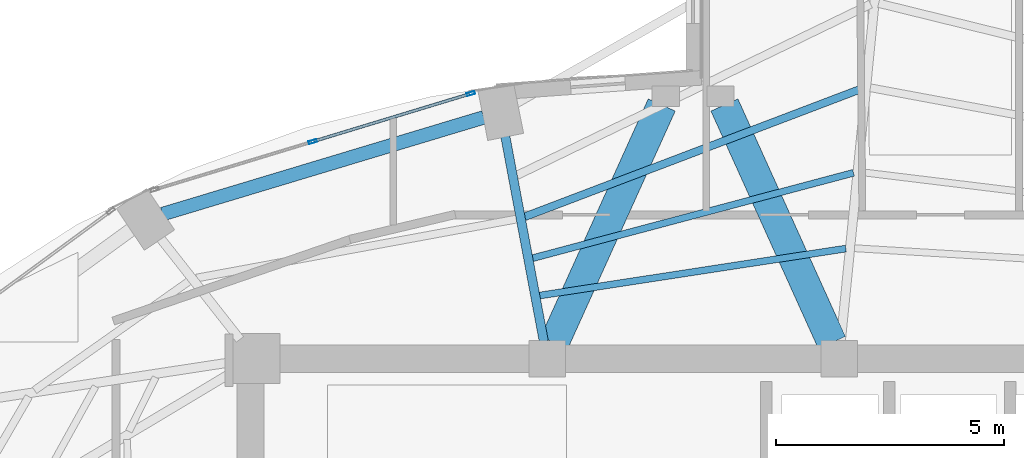
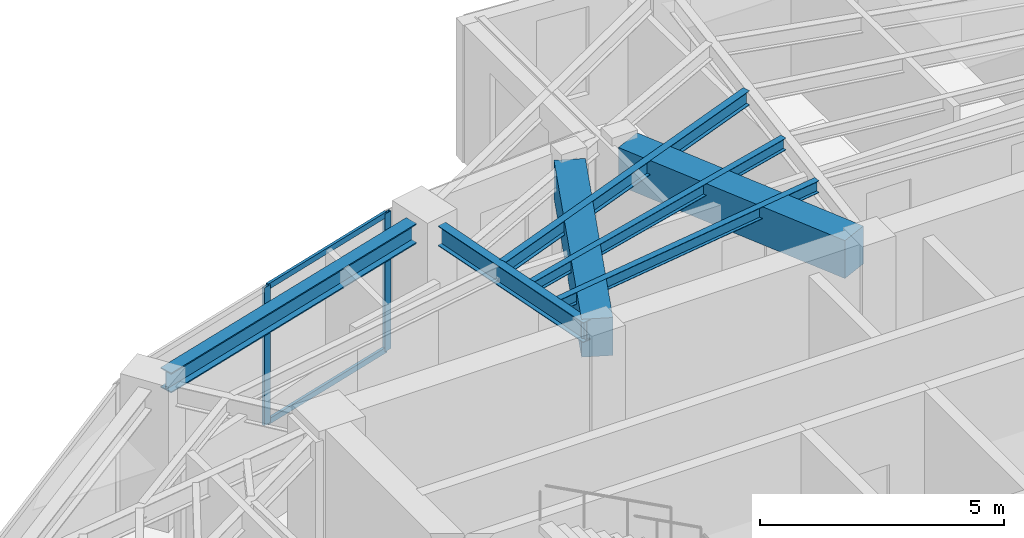
# One storey, part 9 of 21: 7 beams, 4 members, 1 element without a shape of its own.
"""IFC4 building model written with IfcOpenShell, lengths in metres."""

import ifcopenshell
import ifcopenshell.guid

model = None  # the IFC model being written
_history = None  # IfcOwnerHistory: only IFC2X3 demands one
_inside = {}  # id of a spatial element -> (the spatial element, [elements in it])
_under = {}  # id of a project, library or spatial element -> (it, [spatial elements below it])
_declared = {}  # id of a project -> (the project, [libraries it declares])
_typed = {}  # id of a type object -> (the type object, [elements of that type])
_made_of = {}  # id of a material, layer set ... -> (it, [elements and type objects made of it])


def new_model(schema):
    """Start an empty IFC model of exactly this schema.

    Asked for "IFC4X3", IfcOpenShell would pick the latest addendum, in which some entities
    have other attributes; the version numbers below select the first issue.
    IFC2X3 requires an IfcOwnerHistory on every rooted entity: one is made here for all.
    """
    global model, _history
    if schema == "IFC4X3":
        model = ifcopenshell.file(schema_version=(4, 3, 0, 0))
    else:
        model = ifcopenshell.file(schema=schema)
    _inside.clear()
    _under.clear()
    _declared.clear()
    _typed.clear()
    _made_of.clear()
    _history = None
    if model.schema == "IFC2X3":
        org = make("IfcOrganization", Name="unknown")
        user = make(
            "IfcPersonAndOrganization",
            ThePerson=make("IfcPerson", FamilyName="unknown"),
            TheOrganization=org,
        )
        app = make(
            "IfcApplication",
            ApplicationDeveloper=org,
            Version="unknown",
            ApplicationFullName="unknown",
            ApplicationIdentifier="unknown",
        )
        _history = make(
            "IfcOwnerHistory",
            OwningUser=user,
            OwningApplication=app,
            ChangeAction="ADDED",
            CreationDate=0,
        )
    return model


def make(cls, **values):
    """One entity of the class cls with the attributes given. An attribute that is None is left unset."""
    return model.create_entity(
        cls, **{name: value for name, value in values.items() if value is not None}
    )


def rooted(cls, **values):
    """An entity with a GlobalId (a new one), such as an element, a storey or a relation."""
    return make(cls, GlobalId=ifcopenshell.guid.new(), OwnerHistory=_history, **values)


def si_unit(unit_type, name, prefix=None):
    """IfcSIUnit, for example si_unit("LENGTHUNIT", "METRE", prefix="MILLI")."""
    return make("IfcSIUnit", UnitType=unit_type, Prefix=prefix, Name=name)


def assignment(units):
    """IfcUnitAssignment: the units of a project."""
    return None if units is None else make("IfcUnitAssignment", Units=units)


def point(xyz):
    """IfcCartesianPoint."""
    return None if xyz is None else make("IfcCartesianPoint", Coordinates=xyz)


def direction(xyz):
    """IfcDirection."""
    return None if xyz is None else make("IfcDirection", DirectionRatios=xyz)


def frame(location, z_axis=None, x_axis=None):
    """IfcAxis2Placement3D, a coordinate frame: its origin and axes. An axis left out is left unset."""
    return make(
        "IfcAxis2Placement3D",
        Location=point(location),
        Axis=direction(z_axis),
        RefDirection=direction(x_axis),
    )


def frame_2d(location, x_axis=None):
    """IfcAxis2Placement2D, a coordinate frame in the plane: its origin and x axis."""
    return make(
        "IfcAxis2Placement2D", Location=point(location), RefDirection=direction(x_axis)
    )


def origin():
    """The frame at (0, 0, 0) with its axes left unset."""
    return frame((0.0, 0.0, 0.0))


def origin_2d():
    """The frame at (0, 0) in the plane with its x axis left unset."""
    return frame_2d((0.0, 0.0))


def place(relative_to, where):
    """IfcLocalPlacement: puts the frame where relative to a parent placement (None: the world)."""
    return make(
        "IfcLocalPlacement", PlacementRelTo=relative_to, RelativePlacement=where
    )


def context(
    kind, dimensions, precision=None, world=None, true_north=None, identifier=None
):
    """IfcGeometricRepresentationContext, for example the 3D "Model" context."""
    return make(
        "IfcGeometricRepresentationContext",
        ContextIdentifier=identifier,
        ContextType=kind,
        CoordinateSpaceDimension=dimensions,
        Precision=precision,
        WorldCoordinateSystem=world,
        TrueNorth=true_north,
    )


def subcontext(parent, identifier, kind, view, scale=None):
    """IfcGeometricRepresentationSubContext, for example "Body" below "Model"."""
    return make(
        "IfcGeometricRepresentationSubContext",
        ContextIdentifier=identifier,
        ContextType=kind,
        ParentContext=parent,
        TargetScale=scale,
        TargetView=view,
    )


def project(units=None, contexts=None):
    """IfcProject with its units and contexts."""
    return rooted(
        "IfcProject",
        Name="project",
        RepresentationContexts=contexts,
        UnitsInContext=assignment(units),
    )


def spatial(cls, under=None, at=None, **own):
    """A site, building, storey or space (cls), placed at a placement, below another one or the project."""
    s = rooted(cls, ObjectPlacement=at, **own)
    if under is not None:
        _under.setdefault(under.id(), (under, []))[1].append(s)
    return s


def profile(cls, at=None, kind="AREA", **sizes):
    """A parametric profile (cls). Its sizes go by their IFC names, for example OverallWidth=200.0."""
    return make(cls, ProfileType=kind, Position=at, **sizes)


def rectangle(**sizes):
    """IfcRectangleProfileDef."""
    return profile("IfcRectangleProfileDef", **sizes)


def hollow_rectangle(**sizes):
    """IfcRectangleHollowProfileDef."""
    return profile("IfcRectangleHollowProfileDef", **sizes)


def i_section(**sizes):
    """IfcIShapeProfileDef."""
    return profile("IfcIShapeProfileDef", **sizes)


def extrude(swept, where, along, depth):
    """IfcExtrudedAreaSolid: the profile swept, set in the frame where, extruded along a direction by depth."""
    return make(
        "IfcExtrudedAreaSolid",
        SweptArea=swept,
        Position=where,
        ExtrudedDirection=direction(along),
        Depth=depth,
    )


def shape(context_of_items, identifier, shape_type, items):
    """IfcShapeRepresentation: the items that make up one representation, for example the "Body"."""
    return make(
        "IfcShapeRepresentation",
        ContextOfItems=context_of_items,
        RepresentationIdentifier=identifier,
        RepresentationType=shape_type,
        Items=items,
    )


def material(Name=None, Category=None):
    """IfcMaterial."""
    return make("IfcMaterial", Name=Name, Category=Category)


def layer(
    of_material, thickness, ventilated=None, Name=None, Category=None, Priority=None
):
    """IfcMaterialLayer: one layer of a wall or slab, of a material (None: an air gap)."""
    return make(
        "IfcMaterialLayer",
        Material=of_material,
        LayerThickness=thickness,
        IsVentilated=ventilated,
        Name=Name,
        Category=Category,
        Priority=Priority,
    )


def layer_set(layers, Name=None):
    """IfcMaterialLayerSet."""
    return make("IfcMaterialLayerSet", MaterialLayers=layers, LayerSetName=Name)


def material_profile(
    of_material, cross_section, Name=None, Category=None, Priority=None
):
    """IfcMaterialProfile: a cross section and its material."""
    return make(
        "IfcMaterialProfile",
        Name=Name,
        Material=of_material,
        Profile=cross_section,
        Priority=Priority,
        Category=Category,
    )


def profile_set(profiles, Name=None, composite=None):
    """IfcMaterialProfileSet."""
    return make(
        "IfcMaterialProfileSet",
        Name=Name,
        MaterialProfiles=profiles,
        CompositeProfile=composite,
    )


def made_of(thing, what):
    """Note that an element or type object is made of a material, layer set ...; save() writes the relation."""
    if what is not None:
        _made_of.setdefault(what.id(), (what, []))[1].append(thing)
    return thing


def type_object(cls, material=None, **own):
    """A type object (cls), such as IfcWallType, which elements share."""
    return made_of(rooted(cls, **own), material)


def element(
    cls,
    number,
    at=None,
    inside=None,
    cuts=None,
    type_object=None,
    material=None,
    context=None,
    identifier="Body",
    shape_type=None,
    held_by="IfcProductDefinitionShape",
    body=None,
    shapes=None,
    **own,
):
    """One element of the class cls, such as IfcWall. Its Tag is "e" and its number.

    at: its placement. inside: the storey or other place that contains it. cuts: it is an
    opening in that element (IfcRelVoidsElement). A single representation is given by context,
    identifier, shape_type and body (its items); several are given by shapes. held_by: the class
    of the entity that holds the representations. save() writes the other relations.
    """
    e = rooted(cls, Tag="e%d" % number, ObjectPlacement=at, **own)
    if body is not None:
        shapes = [shape(context, identifier, shape_type, body)]
    if shapes is not None:
        e.Representation = make(held_by, Representations=shapes)
    if inside is not None:
        _inside.setdefault(inside.id(), (inside, []))[1].append(e)
    if cuts is not None:
        rooted(
            "IfcRelVoidsElement", RelatingBuildingElement=cuts, RelatedOpeningElement=e
        )
    if type_object is not None:
        _typed.setdefault(type_object.id(), (type_object, []))[1].append(e)
    return made_of(e, material)


def aggregate(whole, parts):
    """IfcRelAggregates: a whole, such as a stair, and the parts it consists of."""
    return rooted("IfcRelAggregates", RelatingObject=whole, RelatedObjects=parts)


def save(model, path):
    """Write the relations noted so far, then the file.

    IfcRelAggregates (storeys below a building ...), IfcRelContainedInSpatialStructure (elements
    in a storey), IfcRelDefinesByType, IfcRelAssociatesMaterial and IfcRelDeclares: one each for
    every whole, place, type object, material and project.
    """
    for whole, parts in _under.values():
        aggregate(whole, parts)
    for where, things in _inside.values():
        rooted(
            "IfcRelContainedInSpatialStructure",
            RelatedElements=things,
            RelatingStructure=where,
        )
    for kind, things in _typed.values():
        rooted("IfcRelDefinesByType", RelatedObjects=things, RelatingType=kind)
    for what, things in _made_of.values():
        rooted("IfcRelAssociatesMaterial", RelatedObjects=things, RelatingMaterial=what)
    for by, libraries in _declared.values():
        rooted("IfcRelDeclares", RelatingContext=by, RelatedDefinitions=libraries)
    model.write(path)


model = new_model("IFC4")

# Units and contexts
model_context = context("Model", 3, precision=1e-05, world=origin(), true_north=direction((0.0, 1.0)))
body_context = subcontext(model_context, "Body", "Model", "MODEL_VIEW")
ifc_project = project(units=[si_unit("LENGTHUNIT", "METRE"), si_unit("AREAUNIT", "SQUARE_METRE"), si_unit("VOLUMEUNIT", "CUBIC_METRE"), si_unit("PLANEANGLEUNIT", "RADIAN"), si_unit("MASSUNIT", "GRAM", prefix="KILO")], contexts=[model_context])

# Site, building, storey
site_placement = place(None, origin())
site = spatial("IfcSite", under=ifc_project, at=site_placement, CompositionType="ELEMENT")
building_placement = place(site_placement, origin())
building = spatial("IfcBuilding", under=site, at=building_placement, Name="Lazwardi Medical Tower", CompositionType="ELEMENT")
storey_placement = place(building_placement, frame((0.0, 0.0, 216.719970703125)))
storey = spatial("IfcBuildingStorey", under=building, at=storey_placement, Name="L56", CompositionType="ELEMENT", Elevation=216.719970703125)

# Beams
ifc_material_1 = material(Name="Concrete C60/75", Category="concrete")
ifc_material_profile_1 = material_profile(ifc_material_1, rectangle(XDim=0.64990234375, YDim=0.949951171875, at=origin_2d()), Name="RC 650x950")
ifc_profile_set_1 = profile_set([ifc_material_profile_1], Name="Concrete C60/75")
beam_type_1 = type_object("IfcBeamType", Name="BM-CB-RC2", PredefinedType="LINTEL", material=ifc_profile_set_1)
for number, where, z_axis, x_axis, name in (
    (1, (32.95849609375, 35.95068359375, 2.97314453125), (0.412019279944, 0.911175127489, 0.0), (-0.911175127489, 0.412019279944, 0.0), "Core coupling lintel CB-02 PL1 L56"),
    (2, (39.04150390625, 35.95068359375, 2.97314453125), (-0.412019279944, 0.911175127489, 0.0), (-0.911175127489, -0.412019279944, 0.0), "Core coupling lintel CB-02 PL2 L56"),
):
    element("IfcBeam", number, at=place(storey_placement, frame(where, z_axis=z_axis, x_axis=x_axis)), inside=storey, type_object=beam_type_1, Name=name, PredefinedType="LINTEL", context=body_context, shape_type="SweptSolid", body=[
        extrude(rectangle(XDim=0.64990234375, YDim=0.949951171875, at=origin_2d()), origin(), (0.0, 0.0, 1.0), 5.7158203125),
    ])
ifc_material_2 = material(Name="Steel S355", Category="steel")
ifc_material_profile_2 = material_profile(ifc_material_2, i_section(OverallWidth=0.300048828125, OverallDepth=0.5, WebThickness=0.014404296875, FlangeThickness=0.028076171875, at=origin_2d()), Name="HEB 500")
ifc_profile_set_2 = profile_set([ifc_material_profile_2], Name="Steel S355")
beam_type_2 = type_object("IfcBeamType", Name="BM-RB-Z4", PredefinedType="BEAM", material=ifc_profile_set_2)
beam_1_placement = place(storey_placement, frame((31.41259765625, 40.885986328125, 3.197998046875), z_axis=(-0.957544311906, -0.288286126506, 0.0), x_axis=(0.288286126506, -0.957544311906, 0.0)))
element("IfcBeam", 3, at=beam_1_placement, inside=storey, type_object=beam_type_2, Name="Ring beam RB-05 B09 L56", PredefinedType="BEAM", context=body_context, shape_type="SweptSolid", body=[
    extrude(i_section(OverallWidth=0.300048828125, OverallDepth=0.5, WebThickness=0.014404296875, FlangeThickness=0.028076171875, at=origin_2d()), origin(), (0.0, 0.0, 1.0), 7.3515625),
])
ifc_material_profile_3 = material_profile(ifc_material_2, i_section(OverallWidth=0.199951171875, OverallDepth=0.5, WebThickness=0.01025390625, FlangeThickness=0.01611328125, at=origin_2d()), Name="IPE 500")
ifc_profile_set_3 = profile_set([ifc_material_profile_3], Name="Steel S355")
beam_type_3 = type_object("IfcBeamType", Name="BM-RG-W3", PredefinedType="BEAM", material=ifc_profile_set_3)
beam_2_placement = place(storey_placement, frame((31.884765625, 40.472412109375, 3.197998046875), z_axis=(0.184633463507, -0.982807450192, 0.0), x_axis=(0.982807450192, 0.184633463507, 0.0)))
element("IfcBeam", 4, at=beam_2_placement, inside=storey, type_object=beam_type_3, Name="Radial girder RG-04 R09 L56", PredefinedType="BEAM", context=body_context, shape_type="SweptSolid", body=[
    extrude(i_section(OverallWidth=0.199951171875, OverallDepth=0.5, WebThickness=0.01025390625, FlangeThickness=0.01611328125, at=origin_2d()), origin(), (0.0, 0.0, 1.0), 4.572509765625),
])
ifc_material_profile_4 = material_profile(ifc_material_2, i_section(OverallWidth=0.169921875, OverallDepth=0.360107421875, WebThickness=0.008056640625, FlangeThickness=0.0126953125, at=origin_2d()), Name="IPE 360")
ifc_profile_set_4 = profile_set([ifc_material_profile_4], Name="Steel S355")
beam_type_4 = type_object("IfcBeamType", Name="BM-SJ-02", PredefinedType="JOIST", material=ifc_profile_set_4)
beam_3_placement = place(storey_placement, frame((39.703125, 41.51904296875, 3.26806640625), z_axis=(-0.934714470268, -0.355399576633, 0.0), x_axis=(0.355399576633, -0.934714470268, 0.0)))
element("IfcBeam", 5, at=beam_3_placement, inside=storey, type_object=beam_type_4, Name="Secondary joist SJ-02 R2 B08 L56", PredefinedType="JOIST", context=body_context, shape_type="SweptSolid", body=[
    extrude(i_section(OverallWidth=0.169921875, OverallDepth=0.360107421875, WebThickness=0.008056640625, FlangeThickness=0.0126953125, at=origin_2d()), origin(), (0.0, 0.0, 1.0), 7.908203125),
])
ifc_material_profile_5 = material_profile(ifc_material_2, i_section(OverallWidth=0.14990234375, OverallDepth=0.300048828125, WebThickness=0.007080078125, FlangeThickness=0.0107421875, at=origin_2d()), Name="IPE 300")
ifc_profile_set_5 = profile_set([ifc_material_profile_5], Name="Steel S355")
beam_type_5 = type_object("IfcBeamType", Name="BM-SJ-03", PredefinedType="JOIST", material=ifc_profile_set_5)
beam_4_placement = place(storey_placement, frame((39.515380859375, 39.671875, 3.298095703125), z_axis=(-0.966369007826, -0.257159368316, 0.0), x_axis=(0.257159368316, -0.966369007826, 0.0)))
element("IfcBeam", 6, at=beam_4_placement, inside=storey, type_object=beam_type_5, Name="Secondary joist SJ-03 R3 B08 L56", PredefinedType="JOIST", context=body_context, shape_type="SweptSolid", body=[
    extrude(i_section(OverallWidth=0.14990234375, OverallDepth=0.300048828125, WebThickness=0.007080078125, FlangeThickness=0.0107421875, at=origin_2d()), origin(), (0.0, 0.0, 1.0), 7.27685546875),
])
beam_5_placement = place(storey_placement, frame((39.347412109375, 38.010986328125, 3.298095703125), z_axis=(-0.988433562862, -0.151654514629, 0.0), x_axis=(0.151654514629, -0.988433562862, 0.0)))
element("IfcBeam", 7, at=beam_5_placement, inside=storey, type_object=beam_type_5, Name="Secondary joist SJ-03 R4 B08 L56", PredefinedType="JOIST", context=body_context, shape_type="SweptSolid", body=[
    extrude(i_section(OverallWidth=0.14990234375, OverallDepth=0.300048828125, WebThickness=0.007080078125, FlangeThickness=0.0107421875, at=origin_2d()), origin(), (0.0, 0.0, 1.0), 6.788818359375),
])

# Curtain wall, members
ifc_material_3 = material(Name="Anodised bronze aluminium and solar control glazing", Category="aluminium")
ifc_layer = layer(ifc_material_3, 0.18994140625)
ifc_layer_set = layer_set([ifc_layer], Name="Anodised bronze aluminium and solar control glazing")
curtain_wall_type = type_object("IfcCurtainWallType", Name="CW-SYS-04", PredefinedType="NOTDEFINED", material=ifc_layer_set)
curtain_wall_placement = place(storey_placement, origin())
curtain_wall = element("IfcCurtainWall", 8, at=curtain_wall_placement, inside=storey, type_object=curtain_wall_type, Name="L56 Unitised bronze curtain wall CW-04", PredefinedType="NOTDEFINED")
ifc_material_4 = material(Name="Anodised bronze aluminium", Category="aluminium")
ifc_material_profile_6 = material_profile(ifc_material_4, hollow_rectangle(XDim=0.06494140625, YDim=0.179931640625, WallThickness=0.00390625, at=origin_2d()), Name="ALU-MULLION 180x65x4")
ifc_profile_set_6 = profile_set([ifc_material_profile_6], Name="Anodised bronze aluminium")
member_type_1 = type_object("IfcMemberType", Name="CW-MUL-03", PredefinedType="MULLION", material=ifc_profile_set_6)
member_1_placement = place(storey_placement, frame((31.126953125, 41.406982421875, 0.0), z_axis=(0.0, 0.0, 1.0), x_axis=(0.290581889515, -0.956850126972, 0.0)))
member_1 = element("IfcMember", 9, at=member_1_placement, type_object=member_type_1, Name="CW-04 mullion 1", PredefinedType="MULLION", context=body_context, shape_type="SweptSolid", body=[
    extrude(hollow_rectangle(XDim=0.06494140625, YDim=0.179931640625, WallThickness=0.00390625, at=origin_2d()), origin(), (0.0, 0.0, 1.0), 3.447998046875),
])
member_2_placement = place(storey_placement, frame((27.66357421875, 40.355224609375, 0.0), z_axis=(0.0, 0.0, 1.0), x_axis=(0.290581889515, -0.956850126972, 0.0)))
member_2 = element("IfcMember", 10, at=member_2_placement, type_object=member_type_1, Name="CW-04 mullion 2", PredefinedType="MULLION", context=body_context, shape_type="SweptSolid", body=[
    extrude(hollow_rectangle(XDim=0.06494140625, YDim=0.179931640625, WallThickness=0.00390625, at=origin_2d()), origin(), (0.0, 0.0, 1.0), 3.447998046875),
])
ifc_material_profile_7 = material_profile(ifc_material_4, hollow_rectangle(XDim=0.06494140625, YDim=0.139892578125, WallThickness=0.00341796875, at=origin_2d()), Name="ALU-TRANSOM 140x65x3.5")
ifc_profile_set_7 = profile_set([ifc_material_profile_7], Name="Anodised bronze aluminium")
member_type_2 = type_object("IfcMemberType", Name="CW-TRN-03", PredefinedType="USERDEFINED", material=ifc_profile_set_7)
member_3_placement = place(storey_placement, frame((31.095703125, 41.397705078125, 0.032470703125), z_axis=(-0.956843409009, -0.290604010015, 0.0), x_axis=(0.290604010015, -0.956843409009, 0.0)))
member_3 = element("IfcMember", 11, at=member_3_placement, type_object=member_type_2, Name="CW-04 transom 1.1", ObjectType="TRANSOM", PredefinedType="USERDEFINED", context=body_context, shape_type="SweptSolid", body=[
    extrude(hollow_rectangle(XDim=0.06494140625, YDim=0.139892578125, WallThickness=0.00341796875, at=origin_2d()), origin(), (0.0, 0.0, 1.0), 3.554443359375),
])
member_4_placement = place(storey_placement, frame((31.095703125, 41.397705078125, 3.41552734375), z_axis=(-0.956843409009, -0.290604010015, 0.0), x_axis=(0.290604010015, -0.956843409009, 0.0)))
member_4 = element("IfcMember", 12, at=member_4_placement, type_object=member_type_2, Name="CW-04 transom 1.2", ObjectType="TRANSOM", PredefinedType="USERDEFINED", context=body_context, shape_type="SweptSolid", body=[
    extrude(hollow_rectangle(XDim=0.06494140625, YDim=0.139892578125, WallThickness=0.00341796875, at=origin_2d()), origin(), (0.0, 0.0, 1.0), 3.554443359375),
])
aggregate(curtain_wall, [member_1, member_2, member_3, member_4])

save(model, "model.ifc")
